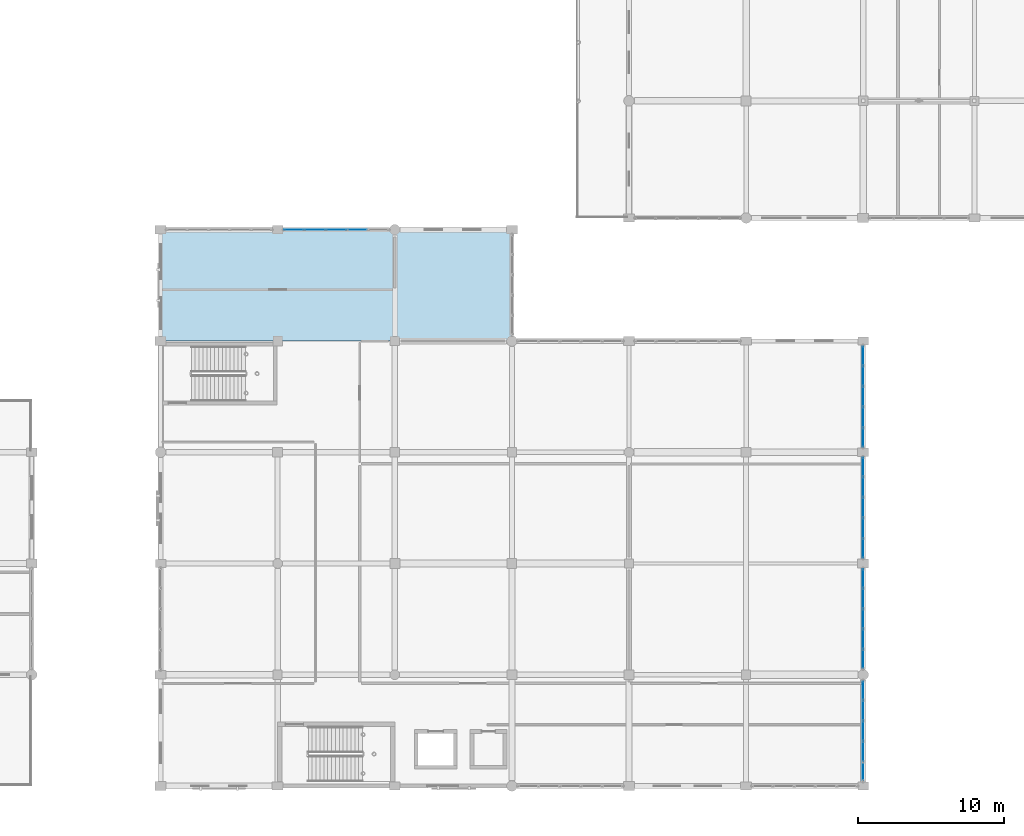
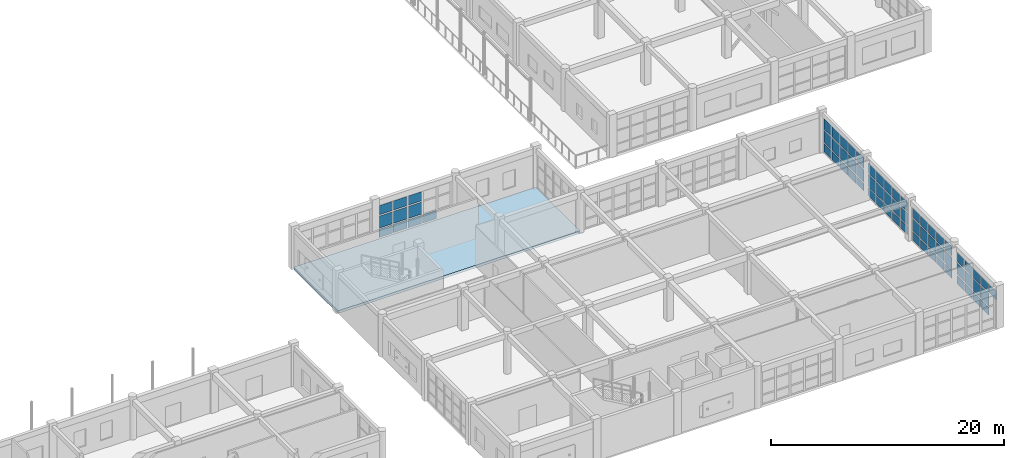
# One storey, part 117 of 160: 68 plates, 1 slab, 5 elements without a shape of their own.
"""IFC4 building model written with IfcOpenShell, lengths in metres."""

import ifcopenshell
import ifcopenshell.guid

model = None  # the IFC model being written
_history = None  # IfcOwnerHistory: only IFC2X3 demands one
_inside = {}  # id of a spatial element -> (the spatial element, [elements in it])
_under = {}  # id of a project, library or spatial element -> (it, [spatial elements below it])
_declared = {}  # id of a project -> (the project, [libraries it declares])
_typed = {}  # id of a type object -> (the type object, [elements of that type])
_made_of = {}  # id of a material, layer set ... -> (it, [elements and type objects made of it])


def new_model(schema):
    """Start an empty IFC model of exactly this schema.

    Asked for "IFC4X3", IfcOpenShell would pick the latest addendum, in which some entities
    have other attributes; the version numbers below select the first issue.
    IFC2X3 requires an IfcOwnerHistory on every rooted entity: one is made here for all.
    """
    global model, _history
    if schema == "IFC4X3":
        model = ifcopenshell.file(schema_version=(4, 3, 0, 0))
    else:
        model = ifcopenshell.file(schema=schema)
    _inside.clear()
    _under.clear()
    _declared.clear()
    _typed.clear()
    _made_of.clear()
    _history = None
    if model.schema == "IFC2X3":
        org = make("IfcOrganization", Name="unknown")
        user = make(
            "IfcPersonAndOrganization",
            ThePerson=make("IfcPerson", FamilyName="unknown"),
            TheOrganization=org,
        )
        app = make(
            "IfcApplication",
            ApplicationDeveloper=org,
            Version="unknown",
            ApplicationFullName="unknown",
            ApplicationIdentifier="unknown",
        )
        _history = make(
            "IfcOwnerHistory",
            OwningUser=user,
            OwningApplication=app,
            ChangeAction="ADDED",
            CreationDate=0,
        )
    return model


def make(cls, **values):
    """One entity of the class cls with the attributes given. An attribute that is None is left unset."""
    return model.create_entity(
        cls, **{name: value for name, value in values.items() if value is not None}
    )


def rooted(cls, **values):
    """An entity with a GlobalId (a new one), such as an element, a storey or a relation."""
    return make(cls, GlobalId=ifcopenshell.guid.new(), OwnerHistory=_history, **values)


def si_unit(unit_type, name, prefix=None):
    """IfcSIUnit, for example si_unit("LENGTHUNIT", "METRE", prefix="MILLI")."""
    return make("IfcSIUnit", UnitType=unit_type, Prefix=prefix, Name=name)


def assignment(units):
    """IfcUnitAssignment: the units of a project."""
    return None if units is None else make("IfcUnitAssignment", Units=units)


def point(xyz):
    """IfcCartesianPoint."""
    return None if xyz is None else make("IfcCartesianPoint", Coordinates=xyz)


def direction(xyz):
    """IfcDirection."""
    return None if xyz is None else make("IfcDirection", DirectionRatios=xyz)


def frame(location, z_axis=None, x_axis=None):
    """IfcAxis2Placement3D, a coordinate frame: its origin and axes. An axis left out is left unset."""
    return make(
        "IfcAxis2Placement3D",
        Location=point(location),
        Axis=direction(z_axis),
        RefDirection=direction(x_axis),
    )


def frame_2d(location, x_axis=None):
    """IfcAxis2Placement2D, a coordinate frame in the plane: its origin and x axis."""
    return make(
        "IfcAxis2Placement2D", Location=point(location), RefDirection=direction(x_axis)
    )


def origin():
    """The frame at (0, 0, 0) with its axes left unset."""
    return frame((0.0, 0.0, 0.0))


def origin_2d():
    """The frame at (0, 0) in the plane with its x axis left unset."""
    return frame_2d((0.0, 0.0))


def place(relative_to, where):
    """IfcLocalPlacement: puts the frame where relative to a parent placement (None: the world)."""
    return make(
        "IfcLocalPlacement", PlacementRelTo=relative_to, RelativePlacement=where
    )


def context(
    kind, dimensions, precision=None, world=None, true_north=None, identifier=None
):
    """IfcGeometricRepresentationContext, for example the 3D "Model" context."""
    return make(
        "IfcGeometricRepresentationContext",
        ContextIdentifier=identifier,
        ContextType=kind,
        CoordinateSpaceDimension=dimensions,
        Precision=precision,
        WorldCoordinateSystem=world,
        TrueNorth=true_north,
    )


def subcontext(parent, identifier, kind, view, scale=None):
    """IfcGeometricRepresentationSubContext, for example "Body" below "Model"."""
    return make(
        "IfcGeometricRepresentationSubContext",
        ContextIdentifier=identifier,
        ContextType=kind,
        ParentContext=parent,
        TargetScale=scale,
        TargetView=view,
    )


def project(units=None, contexts=None):
    """IfcProject with its units and contexts."""
    return rooted(
        "IfcProject",
        Name="project",
        RepresentationContexts=contexts,
        UnitsInContext=assignment(units),
    )


def spatial(cls, under=None, at=None, **own):
    """A site, building, storey or space (cls), placed at a placement, below another one or the project."""
    s = rooted(cls, ObjectPlacement=at, **own)
    if under is not None:
        _under.setdefault(under.id(), (under, []))[1].append(s)
    return s


def polyline(points):
    """IfcPolyline through the points."""
    return make("IfcPolyline", Points=[point(p) for p in points])


def profile(cls, at=None, kind="AREA", **sizes):
    """A parametric profile (cls). Its sizes go by their IFC names, for example OverallWidth=200.0."""
    return make(cls, ProfileType=kind, Position=at, **sizes)


def rectangle(**sizes):
    """IfcRectangleProfileDef."""
    return profile("IfcRectangleProfileDef", **sizes)


def outline(outer, holes=None, kind="AREA"):
    """IfcArbitraryClosedProfileDef: a profile drawn as a closed curve; with holes, ...WithVoids."""
    if holes is None:
        return make("IfcArbitraryClosedProfileDef", ProfileType=kind, OuterCurve=outer)
    return make(
        "IfcArbitraryProfileDefWithVoids",
        ProfileType=kind,
        OuterCurve=outer,
        InnerCurves=holes,
    )


def extrude(swept, where, along, depth):
    """IfcExtrudedAreaSolid: the profile swept, set in the frame where, extruded along a direction by depth."""
    return make(
        "IfcExtrudedAreaSolid",
        SweptArea=swept,
        Position=where,
        ExtrudedDirection=direction(along),
        Depth=depth,
    )


def shape(context_of_items, identifier, shape_type, items):
    """IfcShapeRepresentation: the items that make up one representation, for example the "Body"."""
    return make(
        "IfcShapeRepresentation",
        ContextOfItems=context_of_items,
        RepresentationIdentifier=identifier,
        RepresentationType=shape_type,
        Items=items,
    )


def material(Name=None, Category=None):
    """IfcMaterial."""
    return make("IfcMaterial", Name=Name, Category=Category)


def layer(
    of_material, thickness, ventilated=None, Name=None, Category=None, Priority=None
):
    """IfcMaterialLayer: one layer of a wall or slab, of a material (None: an air gap)."""
    return make(
        "IfcMaterialLayer",
        Material=of_material,
        LayerThickness=thickness,
        IsVentilated=ventilated,
        Name=Name,
        Category=Category,
        Priority=Priority,
    )


def layer_set(layers, Name=None):
    """IfcMaterialLayerSet."""
    return make("IfcMaterialLayerSet", MaterialLayers=layers, LayerSetName=Name)


def made_of(thing, what):
    """Note that an element or type object is made of a material, layer set ...; save() writes the relation."""
    if what is not None:
        _made_of.setdefault(what.id(), (what, []))[1].append(thing)
    return thing


def type_object(cls, material=None, **own):
    """A type object (cls), such as IfcWallType, which elements share."""
    return made_of(rooted(cls, **own), material)


def element(
    cls,
    number,
    at=None,
    inside=None,
    cuts=None,
    type_object=None,
    material=None,
    context=None,
    identifier="Body",
    shape_type=None,
    held_by="IfcProductDefinitionShape",
    body=None,
    shapes=None,
    **own,
):
    """One element of the class cls, such as IfcWall. Its Tag is "e" and its number.

    at: its placement. inside: the storey or other place that contains it. cuts: it is an
    opening in that element (IfcRelVoidsElement). A single representation is given by context,
    identifier, shape_type and body (its items); several are given by shapes. held_by: the class
    of the entity that holds the representations. save() writes the other relations.
    """
    e = rooted(cls, Tag="e%d" % number, ObjectPlacement=at, **own)
    if body is not None:
        shapes = [shape(context, identifier, shape_type, body)]
    if shapes is not None:
        e.Representation = make(held_by, Representations=shapes)
    if inside is not None:
        _inside.setdefault(inside.id(), (inside, []))[1].append(e)
    if cuts is not None:
        rooted(
            "IfcRelVoidsElement", RelatingBuildingElement=cuts, RelatedOpeningElement=e
        )
    if type_object is not None:
        _typed.setdefault(type_object.id(), (type_object, []))[1].append(e)
    return made_of(e, material)


def aggregate(whole, parts):
    """IfcRelAggregates: a whole, such as a stair, and the parts it consists of."""
    return rooted("IfcRelAggregates", RelatingObject=whole, RelatedObjects=parts)


def save(model, path):
    """Write the relations noted so far, then the file.

    IfcRelAggregates (storeys below a building ...), IfcRelContainedInSpatialStructure (elements
    in a storey), IfcRelDefinesByType, IfcRelAssociatesMaterial and IfcRelDeclares: one each for
    every whole, place, type object, material and project.
    """
    for whole, parts in _under.values():
        aggregate(whole, parts)
    for where, things in _inside.values():
        rooted(
            "IfcRelContainedInSpatialStructure",
            RelatedElements=things,
            RelatingStructure=where,
        )
    for kind, things in _typed.values():
        rooted("IfcRelDefinesByType", RelatedObjects=things, RelatingType=kind)
    for what, things in _made_of.values():
        rooted("IfcRelAssociatesMaterial", RelatedObjects=things, RelatingMaterial=what)
    for by, libraries in _declared.values():
        rooted("IfcRelDeclares", RelatingContext=by, RelatedDefinitions=libraries)
    model.write(path)


model = new_model("IFC4")

# Units and contexts
model_context = context("Model", 3, precision=1e-05, world=origin(), true_north=direction((0.0, 1.0)))
body_context = subcontext(model_context, "Body", "Model", "MODEL_VIEW")
ifc_project = project(units=[si_unit("LENGTHUNIT", "METRE"), si_unit("AREAUNIT", "SQUARE_METRE"), si_unit("VOLUMEUNIT", "CUBIC_METRE"), si_unit("PLANEANGLEUNIT", "RADIAN"), si_unit("MASSUNIT", "GRAM", prefix="KILO")], contexts=[model_context])

# Site, building, storey
site_placement = place(None, origin())
site = spatial("IfcSite", under=ifc_project, at=site_placement, CompositionType="ELEMENT")
building_placement = place(site_placement, origin())
building = spatial("IfcBuilding", under=site, at=building_placement, Name="Kharva Crest Polytechnic", CompositionType="ELEMENT")
storey_placement = place(building_placement, frame((0.0, 0.0, 4.5)))
storey = spatial("IfcBuildingStorey", under=building, at=storey_placement, Name="L01", CompositionType="ELEMENT", Elevation=4.5)

# Curtain wall, plates
ifc_material_1 = material(Name="Tempered insulated glass", Category="glass")
curtain_wall_type = type_object("IfcCurtainWallType", Name="CW-SYS-REFECTORY", PredefinedType="USERDEFINED", material=ifc_material_1)
curtain_wall_1_placement = place(storey_placement, origin())
curtain_wall_1 = element("IfcCurtainWall", 1, at=curtain_wall_1_placement, inside=storey, type_object=curtain_wall_type, Name="L01 Glazed Curtain Wall CW-042", ObjectType="CURTAIN WALL", PredefinedType="USERDEFINED")
ifc_layer_1 = layer(ifc_material_1, 0.030029296875, Name="Tempered insulated glass")
ifc_layer_set_1 = layer_set([ifc_layer_1], Name="Tempered insulated glass")
plate_type = type_object("IfcPlateType", Name="CWP-GLZ-30", PredefinedType="CURTAIN_PANEL", material=ifc_layer_set_1)
plate_1_placement = place(storey_placement, frame((134.25390625, 38.0, 0.14013671875), z_axis=(0.0, 0.0, 1.0), x_axis=(-1.0, 0.0, 0.0)))
plate_1 = element("IfcPlate", 2, at=plate_1_placement, type_object=plate_type, Name="CW-042 panel 2.1", PredefinedType="CURTAIN_PANEL", context=body_context, shape_type="SweptSolid", body=[
    extrude(rectangle(XDim=1.35400390625, YDim=0.030029296875, at=origin_2d()), origin(), (0.0, 0.0, 1.0), 0.840087890625),
])
plate_2_placement = place(storey_placement, frame((132.800048828125, 38.0, 0.14013671875), z_axis=(0.0, 0.0, 1.0), x_axis=(-1.0, 0.0, 0.0)))
plate_2 = element("IfcPlate", 3, at=plate_2_placement, type_object=plate_type, Name="CW-042 panel 3.1", PredefinedType="CURTAIN_PANEL", context=body_context, shape_type="SweptSolid", body=[
    extrude(rectangle(XDim=1.35400390625, YDim=0.030029296875, at=origin_2d()), origin(), (0.0, 0.0, 1.0), 0.840087890625),
])
plate_3_placement = place(storey_placement, frame((132.800048828125, 38.0, 1.1201171875), z_axis=(0.0, 0.0, 1.0), x_axis=(-1.0, 0.0, 0.0)))
plate_3 = element("IfcPlate", 4, at=plate_3_placement, type_object=plate_type, Name="CW-042 panel 3.2", PredefinedType="CURTAIN_PANEL", context=body_context, shape_type="SweptSolid", body=[
    extrude(rectangle(XDim=1.35400390625, YDim=0.030029296875, at=origin_2d()), origin(), (0.0, 0.0, 1.0), 1.260009765625),
])
plate_4_placement = place(storey_placement, frame((132.800048828125, 38.0, 2.52001953125), z_axis=(0.0, 0.0, 1.0), x_axis=(-1.0, 0.0, 0.0)))
plate_4 = element("IfcPlate", 5, at=plate_4_placement, type_object=plate_type, Name="CW-042 panel 3.3", PredefinedType="CURTAIN_PANEL", context=body_context, shape_type="SweptSolid", body=[
    extrude(rectangle(XDim=1.35400390625, YDim=0.030029296875, at=origin_2d()), origin(), (0.0, 0.0, 1.0), 0.9599609375),
])
plate_5_placement = place(storey_placement, frame((131.345947265625, 38.0, 0.14013671875), z_axis=(0.0, 0.0, 1.0), x_axis=(-1.0, 0.0, 0.0)))
plate_5 = element("IfcPlate", 6, at=plate_5_placement, type_object=plate_type, Name="CW-042 panel 4.1", PredefinedType="CURTAIN_PANEL", context=body_context, shape_type="SweptSolid", body=[
    extrude(rectangle(XDim=1.35400390625, YDim=0.030029296875, at=origin_2d()), origin(), (0.0, 0.0, 1.0), 0.840087890625),
])
plate_6_placement = place(storey_placement, frame((131.345947265625, 38.0, 1.1201171875), z_axis=(0.0, 0.0, 1.0), x_axis=(-1.0, 0.0, 0.0)))
plate_6 = element("IfcPlate", 7, at=plate_6_placement, type_object=plate_type, Name="CW-042 panel 4.2", PredefinedType="CURTAIN_PANEL", context=body_context, shape_type="SweptSolid", body=[
    extrude(rectangle(XDim=1.35400390625, YDim=0.030029296875, at=origin_2d()), origin(), (0.0, 0.0, 1.0), 1.260009765625),
])
plate_7_placement = place(storey_placement, frame((131.345947265625, 38.0, 2.52001953125), z_axis=(0.0, 0.0, 1.0), x_axis=(-1.0, 0.0, 0.0)))
plate_7 = element("IfcPlate", 8, at=plate_7_placement, type_object=plate_type, Name="CW-042 panel 4.3", PredefinedType="CURTAIN_PANEL", context=body_context, shape_type="SweptSolid", body=[
    extrude(rectangle(XDim=1.35400390625, YDim=0.030029296875, at=origin_2d()), origin(), (0.0, 0.0, 1.0), 0.9599609375),
])
plate_8_placement = place(storey_placement, frame((129.9169921875, 38.0, 0.14013671875), z_axis=(0.0, 0.0, 1.0), x_axis=(-1.0, 0.0, 0.0)))
plate_8 = element("IfcPlate", 9, at=plate_8_placement, type_object=plate_type, Name="CW-042 panel 5.1", PredefinedType="CURTAIN_PANEL", context=body_context, shape_type="SweptSolid", body=[
    extrude(rectangle(XDim=1.303955078125, YDim=0.030029296875, at=origin_2d()), origin(), (0.0, 0.0, 1.0), 0.840087890625),
])
plate_9_placement = place(storey_placement, frame((129.9169921875, 38.0, 1.1201171875), z_axis=(0.0, 0.0, 1.0), x_axis=(-1.0, 0.0, 0.0)))
plate_9 = element("IfcPlate", 10, at=plate_9_placement, type_object=plate_type, Name="CW-042 panel 5.2", PredefinedType="CURTAIN_PANEL", context=body_context, shape_type="SweptSolid", body=[
    extrude(rectangle(XDim=1.303955078125, YDim=0.030029296875, at=origin_2d()), origin(), (0.0, 0.0, 1.0), 1.260009765625),
])
plate_10_placement = place(storey_placement, frame((129.9169921875, 38.0, 2.52001953125), z_axis=(0.0, 0.0, 1.0), x_axis=(-1.0, 0.0, 0.0)))
plate_10 = element("IfcPlate", 11, at=plate_10_placement, type_object=plate_type, Name="CW-042 panel 5.3", PredefinedType="CURTAIN_PANEL", context=body_context, shape_type="SweptSolid", body=[
    extrude(rectangle(XDim=1.303955078125, YDim=0.030029296875, at=origin_2d()), origin(), (0.0, 0.0, 1.0), 0.9599609375),
])
aggregate(curtain_wall_1, [plate_1, plate_2, plate_3, plate_4, plate_5, plate_6, plate_7, plate_8, plate_9, plate_10])

curtain_wall_2_placement = place(storey_placement, origin())
curtain_wall_2 = element("IfcCurtainWall", 12, at=curtain_wall_2_placement, inside=storey, type_object=curtain_wall_type, Name="L01 Glazed Curtain Wall CW-047", ObjectType="CURTAIN WALL", PredefinedType="USERDEFINED")
plate_11_placement = place(storey_placement, frame((168.800048828125, 1.00048828125, 2.52001953125), z_axis=(0.0, 0.0, 1.0), x_axis=(0.0, 1.0, 0.0)))
plate_11 = element("IfcPlate", 13, at=plate_11_placement, type_object=plate_type, Name="CW-047 panel 1.3", PredefinedType="CURTAIN_PANEL", context=body_context, shape_type="SweptSolid", body=[
    extrude(rectangle(XDim=1.240966796875, YDim=0.030029296875, at=origin_2d()), origin(), (0.0, 0.0, 1.0), 0.93994140625),
])
plate_12_placement = place(storey_placement, frame((168.800048828125, 2.366455078125, 0.14013671875), z_axis=(0.0, 0.0, 1.0), x_axis=(0.0, 1.0, 0.0)))
plate_12 = element("IfcPlate", 14, at=plate_12_placement, type_object=plate_type, Name="CW-047 panel 2.1", PredefinedType="CURTAIN_PANEL", context=body_context, shape_type="SweptSolid", body=[
    extrude(rectangle(XDim=1.291015625, YDim=0.030029296875, at=origin_2d()), origin(), (0.0, 0.0, 1.0), 0.840087890625),
])
plate_13_placement = place(storey_placement, frame((168.800048828125, 2.366455078125, 1.1201171875), z_axis=(0.0, 0.0, 1.0), x_axis=(0.0, 1.0, 0.0)))
plate_13 = element("IfcPlate", 15, at=plate_13_placement, type_object=plate_type, Name="CW-047 panel 2.2", PredefinedType="CURTAIN_PANEL", context=body_context, shape_type="SweptSolid", body=[
    extrude(rectangle(XDim=1.291015625, YDim=0.030029296875, at=origin_2d()), origin(), (0.0, 0.0, 1.0), 1.260009765625),
])
plate_14_placement = place(storey_placement, frame((168.800048828125, 2.366455078125, 2.52001953125), z_axis=(0.0, 0.0, 1.0), x_axis=(0.0, 1.0, 0.0)))
plate_14 = element("IfcPlate", 16, at=plate_14_placement, type_object=plate_type, Name="CW-047 panel 2.3", PredefinedType="CURTAIN_PANEL", context=body_context, shape_type="SweptSolid", body=[
    extrude(rectangle(XDim=1.291015625, YDim=0.030029296875, at=origin_2d()), origin(), (0.0, 0.0, 1.0), 0.93994140625),
])
plate_15_placement = place(storey_placement, frame((168.800048828125, 3.757568359375, 0.14013671875), z_axis=(0.0, 0.0, 1.0), x_axis=(0.0, 1.0, 0.0)))
plate_15 = element("IfcPlate", 17, at=plate_15_placement, type_object=plate_type, Name="CW-047 panel 3.1", PredefinedType="CURTAIN_PANEL", context=body_context, shape_type="SweptSolid", body=[
    extrude(rectangle(XDim=1.291015625, YDim=0.030029296875, at=origin_2d()), origin(), (0.0, 0.0, 1.0), 0.840087890625),
])
plate_16_placement = place(storey_placement, frame((168.800048828125, 3.757568359375, 1.1201171875), z_axis=(0.0, 0.0, 1.0), x_axis=(0.0, 1.0, 0.0)))
plate_16 = element("IfcPlate", 18, at=plate_16_placement, type_object=plate_type, Name="CW-047 panel 3.2", PredefinedType="CURTAIN_PANEL", context=body_context, shape_type="SweptSolid", body=[
    extrude(rectangle(XDim=1.291015625, YDim=0.030029296875, at=origin_2d()), origin(), (0.0, 0.0, 1.0), 1.260009765625),
])
plate_17_placement = place(storey_placement, frame((168.800048828125, 3.757568359375, 2.52001953125), z_axis=(0.0, 0.0, 1.0), x_axis=(0.0, 1.0, 0.0)))
plate_17 = element("IfcPlate", 19, at=plate_17_placement, type_object=plate_type, Name="CW-047 panel 3.3", PredefinedType="CURTAIN_PANEL", context=body_context, shape_type="SweptSolid", body=[
    extrude(rectangle(XDim=1.291015625, YDim=0.030029296875, at=origin_2d()), origin(), (0.0, 0.0, 1.0), 0.93994140625),
])
plate_18_placement = place(storey_placement, frame((168.800048828125, 5.1484375, 0.14013671875), z_axis=(0.0, 0.0, 1.0), x_axis=(0.0, 1.0, 0.0)))
plate_18 = element("IfcPlate", 20, at=plate_18_placement, type_object=plate_type, Name="CW-047 panel 4.1", PredefinedType="CURTAIN_PANEL", context=body_context, shape_type="SweptSolid", body=[
    extrude(rectangle(XDim=1.291015625, YDim=0.030029296875, at=origin_2d()), origin(), (0.0, 0.0, 1.0), 0.840087890625),
])
plate_19_placement = place(storey_placement, frame((168.800048828125, 5.1484375, 1.1201171875), z_axis=(0.0, 0.0, 1.0), x_axis=(0.0, 1.0, 0.0)))
plate_19 = element("IfcPlate", 21, at=plate_19_placement, type_object=plate_type, Name="CW-047 panel 4.2", PredefinedType="CURTAIN_PANEL", context=body_context, shape_type="SweptSolid", body=[
    extrude(rectangle(XDim=1.291015625, YDim=0.030029296875, at=origin_2d()), origin(), (0.0, 0.0, 1.0), 1.260009765625),
])
plate_20_placement = place(storey_placement, frame((168.800048828125, 5.1484375, 2.52001953125), z_axis=(0.0, 0.0, 1.0), x_axis=(0.0, 1.0, 0.0)))
plate_20 = element("IfcPlate", 22, at=plate_20_placement, type_object=plate_type, Name="CW-047 panel 4.3", PredefinedType="CURTAIN_PANEL", context=body_context, shape_type="SweptSolid", body=[
    extrude(rectangle(XDim=1.291015625, YDim=0.030029296875, at=origin_2d()), origin(), (0.0, 0.0, 1.0), 0.93994140625),
])
plate_21_placement = place(storey_placement, frame((168.800048828125, 6.514404296875, 0.14013671875), z_axis=(0.0, 0.0, 1.0), x_axis=(0.0, 1.0, 0.0)))
plate_21 = element("IfcPlate", 23, at=plate_21_placement, type_object=plate_type, Name="CW-047 panel 5.1", PredefinedType="CURTAIN_PANEL", context=body_context, shape_type="SweptSolid", body=[
    extrude(rectangle(XDim=1.240966796875, YDim=0.030029296875, at=origin_2d()), origin(), (0.0, 0.0, 1.0), 0.840087890625),
])
plate_22_placement = place(storey_placement, frame((168.800048828125, 6.514404296875, 1.1201171875), z_axis=(0.0, 0.0, 1.0), x_axis=(0.0, 1.0, 0.0)))
plate_22 = element("IfcPlate", 24, at=plate_22_placement, type_object=plate_type, Name="CW-047 panel 5.2", PredefinedType="CURTAIN_PANEL", context=body_context, shape_type="SweptSolid", body=[
    extrude(rectangle(XDim=1.240966796875, YDim=0.030029296875, at=origin_2d()), origin(), (0.0, 0.0, 1.0), 1.260009765625),
])
plate_23_placement = place(storey_placement, frame((168.800048828125, 6.514404296875, 2.52001953125), z_axis=(0.0, 0.0, 1.0), x_axis=(0.0, 1.0, 0.0)))
plate_23 = element("IfcPlate", 25, at=plate_23_placement, type_object=plate_type, Name="CW-047 panel 5.3", PredefinedType="CURTAIN_PANEL", context=body_context, shape_type="SweptSolid", body=[
    extrude(rectangle(XDim=1.240966796875, YDim=0.030029296875, at=origin_2d()), origin(), (0.0, 0.0, 1.0), 0.93994140625),
])
aggregate(curtain_wall_2, [plate_11, plate_12, plate_13, plate_14, plate_15, plate_16, plate_17, plate_18, plate_19, plate_20, plate_21, plate_22, plate_23])

curtain_wall_3_placement = place(storey_placement, origin())
curtain_wall_3 = element("IfcCurtainWall", 26, at=curtain_wall_3_placement, inside=storey, type_object=curtain_wall_type, Name="L01 Glazed Curtain Wall CW-048", ObjectType="CURTAIN WALL", PredefinedType="USERDEFINED")
plate_24_placement = place(storey_placement, frame((168.800048828125, 8.68310546875, 0.14013671875), z_axis=(0.0, 0.0, 1.0), x_axis=(0.0, 1.0, 0.0)))
plate_24 = element("IfcPlate", 27, at=plate_24_placement, type_object=plate_type, Name="CW-048 panel 1.1", PredefinedType="CURTAIN_PANEL", context=body_context, shape_type="SweptSolid", body=[
    extrude(rectangle(XDim=1.236083984375, YDim=0.030029296875, at=origin_2d()), origin(), (0.0, 0.0, 1.0), 0.840087890625),
])
plate_25_placement = place(storey_placement, frame((168.800048828125, 8.68310546875, 1.1201171875), z_axis=(0.0, 0.0, 1.0), x_axis=(0.0, 1.0, 0.0)))
plate_25 = element("IfcPlate", 28, at=plate_25_placement, type_object=plate_type, Name="CW-048 panel 1.2", PredefinedType="CURTAIN_PANEL", context=body_context, shape_type="SweptSolid", body=[
    extrude(rectangle(XDim=1.236083984375, YDim=0.030029296875, at=origin_2d()), origin(), (0.0, 0.0, 1.0), 1.260009765625),
])
plate_26_placement = place(storey_placement, frame((168.800048828125, 8.68310546875, 2.52001953125), z_axis=(0.0, 0.0, 1.0), x_axis=(0.0, 1.0, 0.0)))
plate_26 = element("IfcPlate", 29, at=plate_26_placement, type_object=plate_type, Name="CW-048 panel 1.3", PredefinedType="CURTAIN_PANEL", context=body_context, shape_type="SweptSolid", body=[
    extrude(rectangle(XDim=1.236083984375, YDim=0.030029296875, at=origin_2d()), origin(), (0.0, 0.0, 1.0), 0.97998046875),
])
plate_27_placement = place(storey_placement, frame((168.800048828125, 10.0439453125, 0.14013671875), z_axis=(0.0, 0.0, 1.0), x_axis=(0.0, 1.0, 0.0)))
plate_27 = element("IfcPlate", 30, at=plate_27_placement, type_object=plate_type, Name="CW-048 panel 2.1", PredefinedType="CURTAIN_PANEL", context=body_context, shape_type="SweptSolid", body=[
    extrude(rectangle(XDim=1.285888671875, YDim=0.030029296875, at=origin_2d()), origin(), (0.0, 0.0, 1.0), 0.840087890625),
])
plate_28_placement = place(storey_placement, frame((168.800048828125, 10.0439453125, 1.1201171875), z_axis=(0.0, 0.0, 1.0), x_axis=(0.0, 1.0, 0.0)))
plate_28 = element("IfcPlate", 31, at=plate_28_placement, type_object=plate_type, Name="CW-048 panel 2.2", PredefinedType="CURTAIN_PANEL", context=body_context, shape_type="SweptSolid", body=[
    extrude(rectangle(XDim=1.285888671875, YDim=0.030029296875, at=origin_2d()), origin(), (0.0, 0.0, 1.0), 1.260009765625),
])
plate_29_placement = place(storey_placement, frame((168.800048828125, 10.0439453125, 2.52001953125), z_axis=(0.0, 0.0, 1.0), x_axis=(0.0, 1.0, 0.0)))
plate_29 = element("IfcPlate", 32, at=plate_29_placement, type_object=plate_type, Name="CW-048 panel 2.3", PredefinedType="CURTAIN_PANEL", context=body_context, shape_type="SweptSolid", body=[
    extrude(rectangle(XDim=1.285888671875, YDim=0.030029296875, at=origin_2d()), origin(), (0.0, 0.0, 1.0), 0.97998046875),
])
plate_30_placement = place(storey_placement, frame((168.800048828125, 11.429931640625, 0.14013671875), z_axis=(0.0, 0.0, 1.0), x_axis=(0.0, 1.0, 0.0)))
plate_30 = element("IfcPlate", 33, at=plate_30_placement, type_object=plate_type, Name="CW-048 panel 3.1", PredefinedType="CURTAIN_PANEL", context=body_context, shape_type="SweptSolid", body=[
    extrude(rectangle(XDim=1.285888671875, YDim=0.030029296875, at=origin_2d()), origin(), (0.0, 0.0, 1.0), 0.840087890625),
])
plate_31_placement = place(storey_placement, frame((168.800048828125, 11.429931640625, 1.1201171875), z_axis=(0.0, 0.0, 1.0), x_axis=(0.0, 1.0, 0.0)))
plate_31 = element("IfcPlate", 34, at=plate_31_placement, type_object=plate_type, Name="CW-048 panel 3.2", PredefinedType="CURTAIN_PANEL", context=body_context, shape_type="SweptSolid", body=[
    extrude(rectangle(XDim=1.285888671875, YDim=0.030029296875, at=origin_2d()), origin(), (0.0, 0.0, 1.0), 1.260009765625),
])
plate_32_placement = place(storey_placement, frame((168.800048828125, 11.429931640625, 2.52001953125), z_axis=(0.0, 0.0, 1.0), x_axis=(0.0, 1.0, 0.0)))
plate_32 = element("IfcPlate", 35, at=plate_32_placement, type_object=plate_type, Name="CW-048 panel 3.3", PredefinedType="CURTAIN_PANEL", context=body_context, shape_type="SweptSolid", body=[
    extrude(rectangle(XDim=1.285888671875, YDim=0.030029296875, at=origin_2d()), origin(), (0.0, 0.0, 1.0), 0.97998046875),
])
plate_33_placement = place(storey_placement, frame((168.800048828125, 12.81591796875, 0.14013671875), z_axis=(0.0, 0.0, 1.0), x_axis=(0.0, 1.0, 0.0)))
plate_33 = element("IfcPlate", 36, at=plate_33_placement, type_object=plate_type, Name="CW-048 panel 4.1", PredefinedType="CURTAIN_PANEL", context=body_context, shape_type="SweptSolid", body=[
    extrude(rectangle(XDim=1.285888671875, YDim=0.030029296875, at=origin_2d()), origin(), (0.0, 0.0, 1.0), 0.840087890625),
])
plate_34_placement = place(storey_placement, frame((168.800048828125, 12.81591796875, 1.1201171875), z_axis=(0.0, 0.0, 1.0), x_axis=(0.0, 1.0, 0.0)))
plate_34 = element("IfcPlate", 37, at=plate_34_placement, type_object=plate_type, Name="CW-048 panel 4.2", PredefinedType="CURTAIN_PANEL", context=body_context, shape_type="SweptSolid", body=[
    extrude(rectangle(XDim=1.285888671875, YDim=0.030029296875, at=origin_2d()), origin(), (0.0, 0.0, 1.0), 1.260009765625),
])
plate_35_placement = place(storey_placement, frame((168.800048828125, 12.81591796875, 2.52001953125), z_axis=(0.0, 0.0, 1.0), x_axis=(0.0, 1.0, 0.0)))
plate_35 = element("IfcPlate", 38, at=plate_35_placement, type_object=plate_type, Name="CW-048 panel 4.3", PredefinedType="CURTAIN_PANEL", context=body_context, shape_type="SweptSolid", body=[
    extrude(rectangle(XDim=1.285888671875, YDim=0.030029296875, at=origin_2d()), origin(), (0.0, 0.0, 1.0), 0.97998046875),
])
plate_36_placement = place(storey_placement, frame((168.800048828125, 14.177001953125, 0.14013671875), z_axis=(0.0, 0.0, 1.0), x_axis=(0.0, 1.0, 0.0)))
plate_36 = element("IfcPlate", 39, at=plate_36_placement, type_object=plate_type, Name="CW-048 panel 5.1", PredefinedType="CURTAIN_PANEL", context=body_context, shape_type="SweptSolid", body=[
    extrude(rectangle(XDim=1.236083984375, YDim=0.030029296875, at=origin_2d()), origin(), (0.0, 0.0, 1.0), 0.840087890625),
])
plate_37_placement = place(storey_placement, frame((168.800048828125, 14.177001953125, 1.1201171875), z_axis=(0.0, 0.0, 1.0), x_axis=(0.0, 1.0, 0.0)))
plate_37 = element("IfcPlate", 40, at=plate_37_placement, type_object=plate_type, Name="CW-048 panel 5.2", PredefinedType="CURTAIN_PANEL", context=body_context, shape_type="SweptSolid", body=[
    extrude(rectangle(XDim=1.236083984375, YDim=0.030029296875, at=origin_2d()), origin(), (0.0, 0.0, 1.0), 1.260009765625),
])
plate_38_placement = place(storey_placement, frame((168.800048828125, 14.177001953125, 2.52001953125), z_axis=(0.0, 0.0, 1.0), x_axis=(0.0, 1.0, 0.0)))
plate_38 = element("IfcPlate", 41, at=plate_38_placement, type_object=plate_type, Name="CW-048 panel 5.3", PredefinedType="CURTAIN_PANEL", context=body_context, shape_type="SweptSolid", body=[
    extrude(rectangle(XDim=1.236083984375, YDim=0.030029296875, at=origin_2d()), origin(), (0.0, 0.0, 1.0), 0.97998046875),
])
aggregate(curtain_wall_3, [plate_24, plate_25, plate_26, plate_27, plate_28, plate_29, plate_30, plate_31, plate_32, plate_33, plate_34, plate_35, plate_36, plate_37, plate_38])

curtain_wall_4_placement = place(storey_placement, origin())
curtain_wall_4 = element("IfcCurtainWall", 42, at=curtain_wall_4_placement, inside=storey, type_object=curtain_wall_type, Name="L01 Glazed Curtain Wall CW-049", ObjectType="CURTAIN WALL", PredefinedType="USERDEFINED")
plate_39_placement = place(storey_placement, frame((168.800048828125, 16.2314453125, 0.14013671875), z_axis=(0.0, 0.0, 1.0), x_axis=(0.0, 1.0, 0.0)))
plate_39 = element("IfcPlate", 43, at=plate_39_placement, type_object=plate_type, Name="CW-049 panel 1.1", PredefinedType="CURTAIN_PANEL", context=body_context, shape_type="SweptSolid", body=[
    extrude(rectangle(XDim=1.2529296875, YDim=0.030029296875, at=origin_2d()), origin(), (0.0, 0.0, 1.0), 0.840087890625),
])
plate_40_placement = place(storey_placement, frame((168.800048828125, 16.2314453125, 1.1201171875), z_axis=(0.0, 0.0, 1.0), x_axis=(0.0, 1.0, 0.0)))
plate_40 = element("IfcPlate", 44, at=plate_40_placement, type_object=plate_type, Name="CW-049 panel 1.2", PredefinedType="CURTAIN_PANEL", context=body_context, shape_type="SweptSolid", body=[
    extrude(rectangle(XDim=1.2529296875, YDim=0.030029296875, at=origin_2d()), origin(), (0.0, 0.0, 1.0), 1.260009765625),
])
plate_41_placement = place(storey_placement, frame((168.800048828125, 16.2314453125, 2.52001953125), z_axis=(0.0, 0.0, 1.0), x_axis=(0.0, 1.0, 0.0)))
plate_41 = element("IfcPlate", 45, at=plate_41_placement, type_object=plate_type, Name="CW-049 panel 1.3", PredefinedType="CURTAIN_PANEL", context=body_context, shape_type="SweptSolid", body=[
    extrude(rectangle(XDim=1.2529296875, YDim=0.030029296875, at=origin_2d()), origin(), (0.0, 0.0, 1.0), 1.0400390625),
])
plate_42_placement = place(storey_placement, frame((168.800048828125, 17.609619140625, 0.14013671875), z_axis=(0.0, 0.0, 1.0), x_axis=(0.0, 1.0, 0.0)))
plate_42 = element("IfcPlate", 46, at=plate_42_placement, type_object=plate_type, Name="CW-049 panel 2.1", PredefinedType="CURTAIN_PANEL", context=body_context, shape_type="SweptSolid", body=[
    extrude(rectangle(XDim=1.302978515625, YDim=0.030029296875, at=origin_2d()), origin(), (0.0, 0.0, 1.0), 0.840087890625),
])
plate_43_placement = place(storey_placement, frame((168.800048828125, 17.609619140625, 1.1201171875), z_axis=(0.0, 0.0, 1.0), x_axis=(0.0, 1.0, 0.0)))
plate_43 = element("IfcPlate", 47, at=plate_43_placement, type_object=plate_type, Name="CW-049 panel 2.2", PredefinedType="CURTAIN_PANEL", context=body_context, shape_type="SweptSolid", body=[
    extrude(rectangle(XDim=1.302978515625, YDim=0.030029296875, at=origin_2d()), origin(), (0.0, 0.0, 1.0), 1.260009765625),
])
plate_44_placement = place(storey_placement, frame((168.800048828125, 17.609619140625, 2.52001953125), z_axis=(0.0, 0.0, 1.0), x_axis=(0.0, 1.0, 0.0)))
plate_44 = element("IfcPlate", 48, at=plate_44_placement, type_object=plate_type, Name="CW-049 panel 2.3", PredefinedType="CURTAIN_PANEL", context=body_context, shape_type="SweptSolid", body=[
    extrude(rectangle(XDim=1.302978515625, YDim=0.030029296875, at=origin_2d()), origin(), (0.0, 0.0, 1.0), 1.0400390625),
])
plate_45_placement = place(storey_placement, frame((168.800048828125, 19.012451171875, 0.14013671875), z_axis=(0.0, 0.0, 1.0), x_axis=(0.0, 1.0, 0.0)))
plate_45 = element("IfcPlate", 49, at=plate_45_placement, type_object=plate_type, Name="CW-049 panel 3.1", PredefinedType="CURTAIN_PANEL", context=body_context, shape_type="SweptSolid", body=[
    extrude(rectangle(XDim=1.302978515625, YDim=0.030029296875, at=origin_2d()), origin(), (0.0, 0.0, 1.0), 0.840087890625),
])
plate_46_placement = place(storey_placement, frame((168.800048828125, 19.012451171875, 1.1201171875), z_axis=(0.0, 0.0, 1.0), x_axis=(0.0, 1.0, 0.0)))
plate_46 = element("IfcPlate", 50, at=plate_46_placement, type_object=plate_type, Name="CW-049 panel 3.2", PredefinedType="CURTAIN_PANEL", context=body_context, shape_type="SweptSolid", body=[
    extrude(rectangle(XDim=1.302978515625, YDim=0.030029296875, at=origin_2d()), origin(), (0.0, 0.0, 1.0), 1.260009765625),
])
plate_47_placement = place(storey_placement, frame((168.800048828125, 19.012451171875, 2.52001953125), z_axis=(0.0, 0.0, 1.0), x_axis=(0.0, 1.0, 0.0)))
plate_47 = element("IfcPlate", 51, at=plate_47_placement, type_object=plate_type, Name="CW-049 panel 3.3", PredefinedType="CURTAIN_PANEL", context=body_context, shape_type="SweptSolid", body=[
    extrude(rectangle(XDim=1.302978515625, YDim=0.030029296875, at=origin_2d()), origin(), (0.0, 0.0, 1.0), 1.0400390625),
])
plate_48_placement = place(storey_placement, frame((168.800048828125, 20.41552734375, 0.14013671875), z_axis=(0.0, 0.0, 1.0), x_axis=(0.0, 1.0, 0.0)))
plate_48 = element("IfcPlate", 52, at=plate_48_placement, type_object=plate_type, Name="CW-049 panel 4.1", PredefinedType="CURTAIN_PANEL", context=body_context, shape_type="SweptSolid", body=[
    extrude(rectangle(XDim=1.302978515625, YDim=0.030029296875, at=origin_2d()), origin(), (0.0, 0.0, 1.0), 0.840087890625),
])
plate_49_placement = place(storey_placement, frame((168.800048828125, 20.41552734375, 1.1201171875), z_axis=(0.0, 0.0, 1.0), x_axis=(0.0, 1.0, 0.0)))
plate_49 = element("IfcPlate", 53, at=plate_49_placement, type_object=plate_type, Name="CW-049 panel 4.2", PredefinedType="CURTAIN_PANEL", context=body_context, shape_type="SweptSolid", body=[
    extrude(rectangle(XDim=1.302978515625, YDim=0.030029296875, at=origin_2d()), origin(), (0.0, 0.0, 1.0), 1.260009765625),
])
plate_50_placement = place(storey_placement, frame((168.800048828125, 20.41552734375, 2.52001953125), z_axis=(0.0, 0.0, 1.0), x_axis=(0.0, 1.0, 0.0)))
plate_50 = element("IfcPlate", 54, at=plate_50_placement, type_object=plate_type, Name="CW-049 panel 4.3", PredefinedType="CURTAIN_PANEL", context=body_context, shape_type="SweptSolid", body=[
    extrude(rectangle(XDim=1.302978515625, YDim=0.030029296875, at=origin_2d()), origin(), (0.0, 0.0, 1.0), 1.0400390625),
])
plate_51_placement = place(storey_placement, frame((168.800048828125, 21.79345703125, 0.14013671875), z_axis=(0.0, 0.0, 1.0), x_axis=(0.0, 1.0, 0.0)))
plate_51 = element("IfcPlate", 55, at=plate_51_placement, type_object=plate_type, Name="CW-049 panel 5.1", PredefinedType="CURTAIN_PANEL", context=body_context, shape_type="SweptSolid", body=[
    extrude(rectangle(XDim=1.2529296875, YDim=0.030029296875, at=origin_2d()), origin(), (0.0, 0.0, 1.0), 0.840087890625),
])
plate_52_placement = place(storey_placement, frame((168.800048828125, 21.79345703125, 1.1201171875), z_axis=(0.0, 0.0, 1.0), x_axis=(0.0, 1.0, 0.0)))
plate_52 = element("IfcPlate", 56, at=plate_52_placement, type_object=plate_type, Name="CW-049 panel 5.2", PredefinedType="CURTAIN_PANEL", context=body_context, shape_type="SweptSolid", body=[
    extrude(rectangle(XDim=1.2529296875, YDim=0.030029296875, at=origin_2d()), origin(), (0.0, 0.0, 1.0), 1.260009765625),
])
plate_53_placement = place(storey_placement, frame((168.800048828125, 21.79345703125, 2.52001953125), z_axis=(0.0, 0.0, 1.0), x_axis=(0.0, 1.0, 0.0)))
plate_53 = element("IfcPlate", 57, at=plate_53_placement, type_object=plate_type, Name="CW-049 panel 5.3", PredefinedType="CURTAIN_PANEL", context=body_context, shape_type="SweptSolid", body=[
    extrude(rectangle(XDim=1.2529296875, YDim=0.030029296875, at=origin_2d()), origin(), (0.0, 0.0, 1.0), 1.0400390625),
])
aggregate(curtain_wall_4, [plate_39, plate_40, plate_41, plate_42, plate_43, plate_44, plate_45, plate_46, plate_47, plate_48, plate_49, plate_50, plate_51, plate_52, plate_53])

curtain_wall_5_placement = place(storey_placement, origin())
curtain_wall_5 = element("IfcCurtainWall", 58, at=curtain_wall_5_placement, inside=storey, type_object=curtain_wall_type, Name="L01 Glazed Curtain Wall CW-050", ObjectType="CURTAIN WALL", PredefinedType="USERDEFINED")
plate_54_placement = place(storey_placement, frame((168.800048828125, 23.80908203125, 0.14013671875), z_axis=(0.0, 0.0, 1.0), x_axis=(0.0, 1.0, 0.0)))
plate_54 = element("IfcPlate", 59, at=plate_54_placement, type_object=plate_type, Name="CW-050 panel 1.1", PredefinedType="CURTAIN_PANEL", context=body_context, shape_type="SweptSolid", body=[
    extrude(rectangle(XDim=1.258056640625, YDim=0.030029296875, at=origin_2d()), origin(), (0.0, 0.0, 1.0), 0.840087890625),
])
plate_55_placement = place(storey_placement, frame((168.800048828125, 23.80908203125, 1.1201171875), z_axis=(0.0, 0.0, 1.0), x_axis=(0.0, 1.0, 0.0)))
plate_55 = element("IfcPlate", 60, at=plate_55_placement, type_object=plate_type, Name="CW-050 panel 1.2", PredefinedType="CURTAIN_PANEL", context=body_context, shape_type="SweptSolid", body=[
    extrude(rectangle(XDim=1.258056640625, YDim=0.030029296875, at=origin_2d()), origin(), (0.0, 0.0, 1.0), 1.260009765625),
])
plate_56_placement = place(storey_placement, frame((168.800048828125, 23.80908203125, 2.52001953125), z_axis=(0.0, 0.0, 1.0), x_axis=(0.0, 1.0, 0.0)))
plate_56 = element("IfcPlate", 61, at=plate_56_placement, type_object=plate_type, Name="CW-050 panel 1.3", PredefinedType="CURTAIN_PANEL", context=body_context, shape_type="SweptSolid", body=[
    extrude(rectangle(XDim=1.258056640625, YDim=0.030029296875, at=origin_2d()), origin(), (0.0, 0.0, 1.0), 1.10009765625),
])
plate_57_placement = place(storey_placement, frame((168.800048828125, 25.19189453125, 0.14013671875), z_axis=(0.0, 0.0, 1.0), x_axis=(0.0, 1.0, 0.0)))
plate_57 = element("IfcPlate", 62, at=plate_57_placement, type_object=plate_type, Name="CW-050 panel 2.1", PredefinedType="CURTAIN_PANEL", context=body_context, shape_type="SweptSolid", body=[
    extrude(rectangle(XDim=1.30810546875, YDim=0.030029296875, at=origin_2d()), origin(), (0.0, 0.0, 1.0), 0.840087890625),
])
plate_58_placement = place(storey_placement, frame((168.800048828125, 25.19189453125, 1.1201171875), z_axis=(0.0, 0.0, 1.0), x_axis=(0.0, 1.0, 0.0)))
plate_58 = element("IfcPlate", 63, at=plate_58_placement, type_object=plate_type, Name="CW-050 panel 2.2", PredefinedType="CURTAIN_PANEL", context=body_context, shape_type="SweptSolid", body=[
    extrude(rectangle(XDim=1.30810546875, YDim=0.030029296875, at=origin_2d()), origin(), (0.0, 0.0, 1.0), 1.260009765625),
])
plate_59_placement = place(storey_placement, frame((168.800048828125, 25.19189453125, 2.52001953125), z_axis=(0.0, 0.0, 1.0), x_axis=(0.0, 1.0, 0.0)))
plate_59 = element("IfcPlate", 64, at=plate_59_placement, type_object=plate_type, Name="CW-050 panel 2.3", PredefinedType="CURTAIN_PANEL", context=body_context, shape_type="SweptSolid", body=[
    extrude(rectangle(XDim=1.30810546875, YDim=0.030029296875, at=origin_2d()), origin(), (0.0, 0.0, 1.0), 1.10009765625),
])
plate_60_placement = place(storey_placement, frame((168.800048828125, 26.60009765625, 0.14013671875), z_axis=(0.0, 0.0, 1.0), x_axis=(0.0, 1.0, 0.0)))
plate_60 = element("IfcPlate", 65, at=plate_60_placement, type_object=plate_type, Name="CW-050 panel 3.1", PredefinedType="CURTAIN_PANEL", context=body_context, shape_type="SweptSolid", body=[
    extrude(rectangle(XDim=1.30810546875, YDim=0.030029296875, at=origin_2d()), origin(), (0.0, 0.0, 1.0), 0.840087890625),
])
plate_61_placement = place(storey_placement, frame((168.800048828125, 26.60009765625, 1.1201171875), z_axis=(0.0, 0.0, 1.0), x_axis=(0.0, 1.0, 0.0)))
plate_61 = element("IfcPlate", 66, at=plate_61_placement, type_object=plate_type, Name="CW-050 panel 3.2", PredefinedType="CURTAIN_PANEL", context=body_context, shape_type="SweptSolid", body=[
    extrude(rectangle(XDim=1.30810546875, YDim=0.030029296875, at=origin_2d()), origin(), (0.0, 0.0, 1.0), 1.260009765625),
])
plate_62_placement = place(storey_placement, frame((168.800048828125, 26.60009765625, 2.52001953125), z_axis=(0.0, 0.0, 1.0), x_axis=(0.0, 1.0, 0.0)))
plate_62 = element("IfcPlate", 67, at=plate_62_placement, type_object=plate_type, Name="CW-050 panel 3.3", PredefinedType="CURTAIN_PANEL", context=body_context, shape_type="SweptSolid", body=[
    extrude(rectangle(XDim=1.30810546875, YDim=0.030029296875, at=origin_2d()), origin(), (0.0, 0.0, 1.0), 1.10009765625),
])
plate_63_placement = place(storey_placement, frame((168.800048828125, 28.008056640625, 0.14013671875), z_axis=(0.0, 0.0, 1.0), x_axis=(0.0, 1.0, 0.0)))
plate_63 = element("IfcPlate", 68, at=plate_63_placement, type_object=plate_type, Name="CW-050 panel 4.1", PredefinedType="CURTAIN_PANEL", context=body_context, shape_type="SweptSolid", body=[
    extrude(rectangle(XDim=1.30810546875, YDim=0.030029296875, at=origin_2d()), origin(), (0.0, 0.0, 1.0), 0.840087890625),
])
plate_64_placement = place(storey_placement, frame((168.800048828125, 28.008056640625, 1.1201171875), z_axis=(0.0, 0.0, 1.0), x_axis=(0.0, 1.0, 0.0)))
plate_64 = element("IfcPlate", 69, at=plate_64_placement, type_object=plate_type, Name="CW-050 panel 4.2", PredefinedType="CURTAIN_PANEL", context=body_context, shape_type="SweptSolid", body=[
    extrude(rectangle(XDim=1.30810546875, YDim=0.030029296875, at=origin_2d()), origin(), (0.0, 0.0, 1.0), 1.260009765625),
])
plate_65_placement = place(storey_placement, frame((168.800048828125, 28.008056640625, 2.52001953125), z_axis=(0.0, 0.0, 1.0), x_axis=(0.0, 1.0, 0.0)))
plate_65 = element("IfcPlate", 70, at=plate_65_placement, type_object=plate_type, Name="CW-050 panel 4.3", PredefinedType="CURTAIN_PANEL", context=body_context, shape_type="SweptSolid", body=[
    extrude(rectangle(XDim=1.30810546875, YDim=0.030029296875, at=origin_2d()), origin(), (0.0, 0.0, 1.0), 1.10009765625),
])
plate_66_placement = place(storey_placement, frame((168.800048828125, 29.39111328125, 0.14013671875), z_axis=(0.0, 0.0, 1.0), x_axis=(0.0, 1.0, 0.0)))
plate_66 = element("IfcPlate", 71, at=plate_66_placement, type_object=plate_type, Name="CW-050 panel 5.1", PredefinedType="CURTAIN_PANEL", context=body_context, shape_type="SweptSolid", body=[
    extrude(rectangle(XDim=1.258056640625, YDim=0.030029296875, at=origin_2d()), origin(), (0.0, 0.0, 1.0), 0.840087890625),
])
plate_67_placement = place(storey_placement, frame((168.800048828125, 29.39111328125, 1.1201171875), z_axis=(0.0, 0.0, 1.0), x_axis=(0.0, 1.0, 0.0)))
plate_67 = element("IfcPlate", 72, at=plate_67_placement, type_object=plate_type, Name="CW-050 panel 5.2", PredefinedType="CURTAIN_PANEL", context=body_context, shape_type="SweptSolid", body=[
    extrude(rectangle(XDim=1.258056640625, YDim=0.030029296875, at=origin_2d()), origin(), (0.0, 0.0, 1.0), 1.260009765625),
])
plate_68_placement = place(storey_placement, frame((168.800048828125, 29.39111328125, 2.52001953125), z_axis=(0.0, 0.0, 1.0), x_axis=(0.0, 1.0, 0.0)))
plate_68 = element("IfcPlate", 73, at=plate_68_placement, type_object=plate_type, Name="CW-050 panel 5.3", PredefinedType="CURTAIN_PANEL", context=body_context, shape_type="SweptSolid", body=[
    extrude(rectangle(XDim=1.258056640625, YDim=0.030029296875, at=origin_2d()), origin(), (0.0, 0.0, 1.0), 1.10009765625),
])
aggregate(curtain_wall_5, [plate_54, plate_55, plate_56, plate_57, plate_58, plate_59, plate_60, plate_61, plate_62, plate_63, plate_64, plate_65, plate_66, plate_67, plate_68])

# Slab
ifc_material_2 = material(Name="Concrete C35/45", Category="concrete")
ifc_layer_2 = layer(ifc_material_2, 0.27001953125, Name="Concrete C35/45")
ifc_layer_set_2 = layer_set([ifc_layer_2], Name="Concrete C35/45")
slab_type = type_object("IfcSlabType", Name="SLB-FLR-270", PredefinedType="FLOOR", material=ifc_layer_set_2)
slab_placement = place(storey_placement, frame((0.0, 0.0, -0.27001953125)))
element("IfcSlab", 74, at=slab_placement, inside=storey, type_object=slab_type, Name="L01 Structural Slab SE_REF_N", PredefinedType="FLOOR", context=body_context, shape_type="SweptSolid", body=[
    extrude(outline(polyline([(120.800048828125, 30.39990234375), (144.800048828125, 30.39990234375), (144.800048828125, 38.0), (120.800048828125, 38.0), (120.800048828125, 30.39990234375)])), origin(), (0.0, 0.0, 1.0), 0.27001953125),
])

save(model, "model.ifc")
